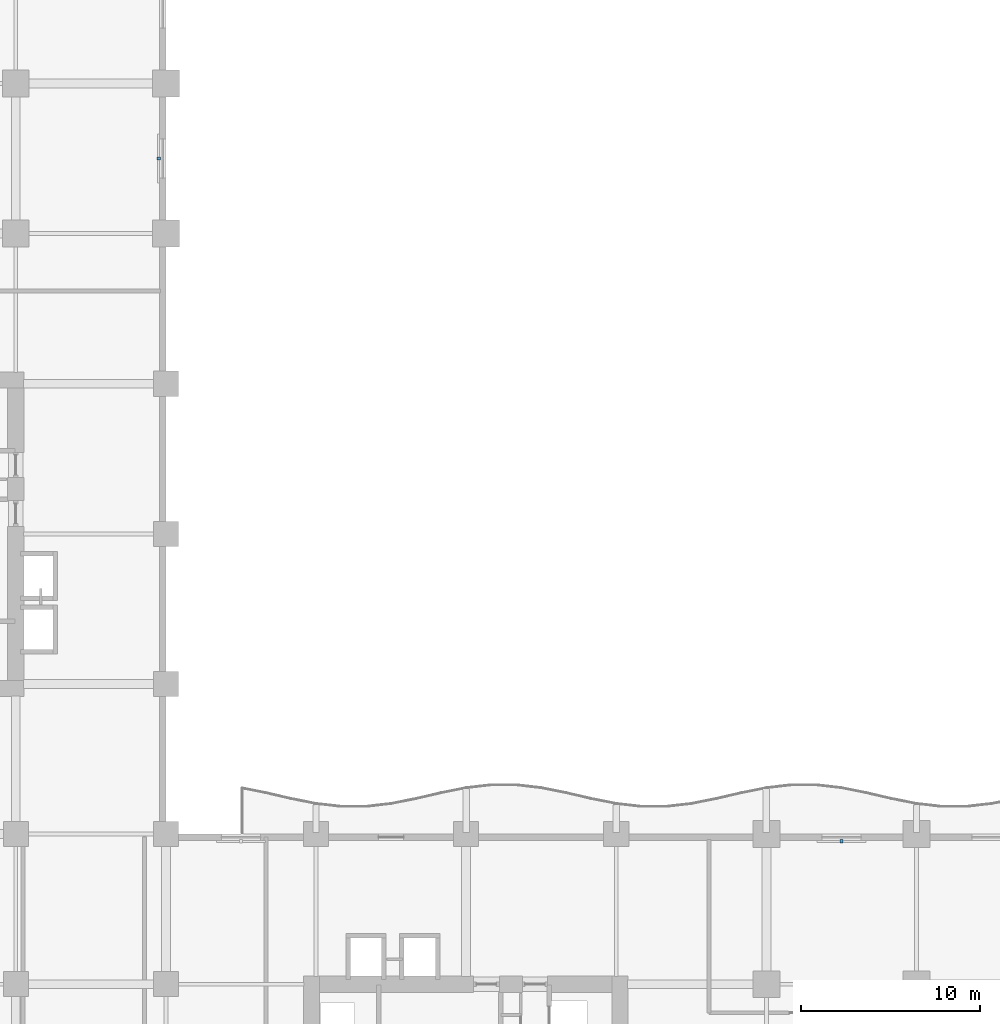
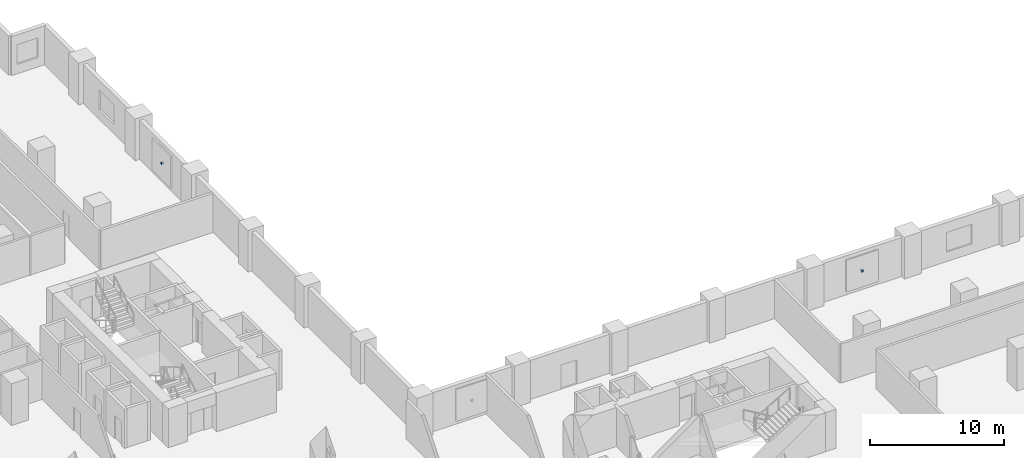
# One storey, part 16 of 20: 2 discrete accessories.
"""IFC4 building model written with IfcOpenShell, lengths in metres."""

from ifc_helpers import new_model, si_unit, direction, frame, origin, origin_2d, place, context, subcontext, project, spatial, rectangle, extrude, material, type_object, element, save


model = new_model("IFC4")

# Units and contexts
model_context = context("Model", 3, precision=1e-05, world=origin(), true_north=direction((0.0, 1.0)))
body_context = subcontext(model_context, "Body", "Model", "MODEL_VIEW")
ifc_project = project(units=[si_unit("LENGTHUNIT", "METRE"), si_unit("AREAUNIT", "SQUARE_METRE"), si_unit("VOLUMEUNIT", "CUBIC_METRE"), si_unit("PLANEANGLEUNIT", "RADIAN"), si_unit("MASSUNIT", "GRAM", prefix="KILO")], contexts=[model_context])

# Site, building, storey
site_placement = place(None, origin())
site = spatial("IfcSite", under=ifc_project, at=site_placement, CompositionType="ELEMENT")
building_placement = place(site_placement, origin())
building = spatial("IfcBuilding", under=site, at=building_placement, Name="Koriwani Terraces Tower", CompositionType="ELEMENT")
storey_placement = place(building_placement, frame((0.0, 0.0, 73.800048828125)))
storey = spatial("IfcBuildingStorey", under=building, at=storey_placement, Name="L17", CompositionType="ELEMENT", Elevation=73.800048828125)

# Discrete accessories
ifc_material = material(Name="Steel ASTM A572 Grade 50", Category="steel")
discrete_accessory_type = type_object("IfcDiscreteAccessoryType", Name="BAGUETTE_STANDOFF_BRACKET", PredefinedType="BRACKET", material=ifc_material)
for number, where, z_axis, x_axis, name in (
    (1, (33.2099609375, 71.39990234375, 1.68505859375), (0.0, 0.0, 1.0), (0.0, -1.0, 0.0), "L17 Terracotta Baguette Bracket (NW_IN-14)"),
    (2, (71.39990234375, 33.2099609375, 1.68505859375), (0.0, 0.0, 1.0), (1.0, 0.0, 0.0), "L17 Terracotta Baguette Bracket (NE-14)"),
):
    element("IfcDiscreteAccessory", number, at=place(storey_placement, frame(where, z_axis=z_axis, x_axis=x_axis)), inside=storey, type_object=discrete_accessory_type, Name=name, PredefinedType="BRACKET", context=body_context, shape_type="SweptSolid", body=[
        extrude(rectangle(XDim=0.159912109375, YDim=0.199951171875, at=origin_2d()), origin(), (0.0, 0.0, 1.0), 0.179931640625),
    ])

save(model, "model.ifc")
